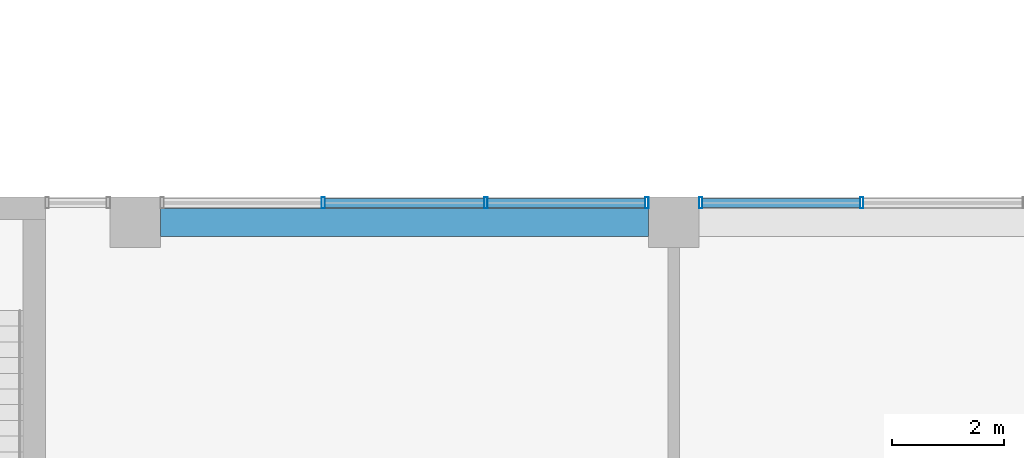
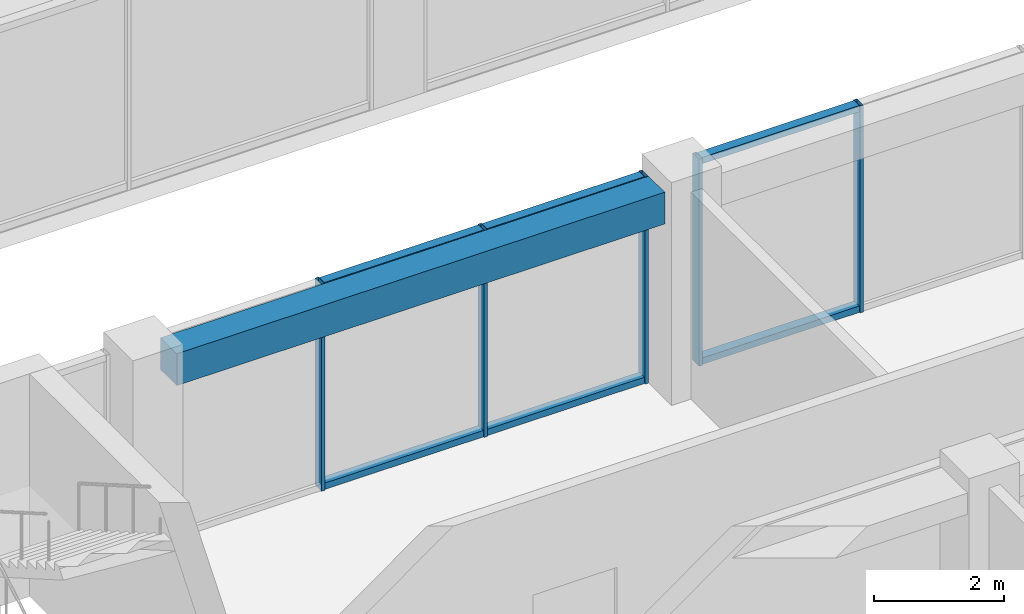
# One storey, part 16 of 37: 11 members, 1 beam, 2 elements without a shape of their own.
"""IFC4 building model written with IfcOpenShell, lengths in metres."""

from ifc_helpers import new_model, si_unit, direction, frame, origin, origin_2d, place, context, subcontext, project, spatial, rectangle, hollow_rectangle, extrude, material, layer, layer_set, material_profile, profile_set, type_object, element, aggregate, save


model = new_model("IFC4")

# Units and contexts
model_context = context("Model", 3, precision=1e-05, world=origin(), true_north=direction((0.0, 1.0)))
body_context = subcontext(model_context, "Body", "Model", "MODEL_VIEW")
ifc_project = project(units=[si_unit("LENGTHUNIT", "METRE"), si_unit("AREAUNIT", "SQUARE_METRE"), si_unit("VOLUMEUNIT", "CUBIC_METRE"), si_unit("PLANEANGLEUNIT", "RADIAN"), si_unit("MASSUNIT", "GRAM", prefix="KILO")], contexts=[model_context])

# Site, building, storey
site_placement = place(None, origin())
site = spatial("IfcSite", under=ifc_project, at=site_placement, CompositionType="ELEMENT")
building_placement = place(site_placement, origin())
building = spatial("IfcBuilding", under=site, at=building_placement, Name="Nzadi Deep Aquarium and Research Tower", CompositionType="ELEMENT")
storey_placement = place(building_placement, frame((0.0, 0.0, 61.300048828125)))
storey = spatial("IfcBuildingStorey", under=building, at=storey_placement, Name="L12", CompositionType="ELEMENT", Elevation=61.300048828125)

# Curtain wall, members
ifc_material_1 = material(Name="Aluminium unitised frame", Category="aluminium")
ifc_layer = layer(ifc_material_1, 0.199951171875)
ifc_layer_set = layer_set([ifc_layer], Name="Aluminium unitised frame")
curtain_wall_type = type_object("IfcCurtainWallType", Name="Curtain wall Unitised 200", PredefinedType="NOTDEFINED", material=ifc_layer_set)
curtain_wall_1_placement = place(storey_placement, origin())
curtain_wall_1 = element("IfcCurtainWall", 1, at=curtain_wall_1_placement, inside=storey, type_object=curtain_wall_type, Name="Unitised curtain wall blade A north L12", PredefinedType="NOTDEFINED")
ifc_material_2 = material(Name="Aluminium unitised frame", Category="aluminium")
ifc_material_profile_1 = material_profile(ifc_material_2, hollow_rectangle(XDim=0.199951171875, YDim=0.06005859375, WallThickness=0.0048828125, at=origin_2d()))
ifc_profile_set_1 = profile_set([ifc_material_profile_1], Name="Aluminium unitised frame")
member_type_1 = type_object("IfcMemberType", Name="Mullion 60x200 Unitised", PredefinedType="MULLION", material=ifc_profile_set_1)
member_1_placement = place(storey_placement, frame((32.14990234375, 18.75, 0.0), z_axis=(0.0, 0.0, 1.0), x_axis=(0.0, 1.0, 0.0)))
member_1 = element("IfcMember", 2, at=member_1_placement, type_object=member_type_1, Name="CW055 mullion 2", PredefinedType="MULLION", context=body_context, shape_type="SweptSolid", body=[
    extrude(hollow_rectangle(XDim=0.199951171875, YDim=0.06005859375, WallThickness=0.0048828125, at=origin_2d()), origin(), (0.0, 0.0, 1.0), 3.89990234375),
])
member_2_placement = place(storey_placement, frame((35.050048828125, 18.75, 0.0), z_axis=(0.0, 0.0, 1.0), x_axis=(0.0, 1.0, 0.0)))
member_2 = element("IfcMember", 3, at=member_2_placement, type_object=member_type_1, Name="CW055 mullion 3", PredefinedType="MULLION", context=body_context, shape_type="SweptSolid", body=[
    extrude(hollow_rectangle(XDim=0.199951171875, YDim=0.06005859375, WallThickness=0.0048828125, at=origin_2d()), origin(), (0.0, 0.0, 1.0), 3.89990234375),
])
member_3_placement = place(storey_placement, frame((37.919921875, 18.75, 0.0), z_axis=(0.0, 0.0, 1.0), x_axis=(0.0, 1.0, 0.0)))
member_3 = element("IfcMember", 4, at=member_3_placement, type_object=member_type_1, Name="CW055 mullion 4", PredefinedType="MULLION", context=body_context, shape_type="SweptSolid", body=[
    extrude(hollow_rectangle(XDim=0.199951171875, YDim=0.06005859375, WallThickness=0.0048828125, at=origin_2d()), origin(), (0.0, 0.0, 1.0), 3.89990234375),
])

curtain_wall_2_placement = place(storey_placement, origin())
curtain_wall_2 = element("IfcCurtainWall", 5, at=curtain_wall_2_placement, inside=storey, type_object=curtain_wall_type, Name="Unitised curtain wall blade A north L12", PredefinedType="NOTDEFINED")
member_4_placement = place(storey_placement, frame((38.8798828125, 18.75, 0.0), z_axis=(0.0, 0.0, 1.0), x_axis=(0.0, 1.0, 0.0)))
member_4 = element("IfcMember", 6, at=member_4_placement, type_object=member_type_1, Name="CW056 mullion 1", PredefinedType="MULLION", context=body_context, shape_type="SweptSolid", body=[
    extrude(hollow_rectangle(XDim=0.199951171875, YDim=0.06005859375, WallThickness=0.0048828125, at=origin_2d()), origin(), (0.0, 0.0, 1.0), 3.89990234375),
])
member_5_placement = place(storey_placement, frame((41.75, 18.75, 0.0), z_axis=(0.0, 0.0, 1.0), x_axis=(0.0, 1.0, 0.0)))
member_5 = element("IfcMember", 7, at=member_5_placement, type_object=member_type_1, Name="CW056 mullion 2", PredefinedType="MULLION", context=body_context, shape_type="SweptSolid", body=[
    extrude(hollow_rectangle(XDim=0.199951171875, YDim=0.06005859375, WallThickness=0.0048828125, at=origin_2d()), origin(), (0.0, 0.0, 1.0), 3.89990234375),
])

# Beam
ifc_material_3 = material(Name="Concrete C35/45", Category="concrete")
ifc_material_profile_2 = material_profile(ifc_material_3, rectangle(XDim=0.5, YDim=0.60009765625, at=origin_2d()))
ifc_profile_set_2 = profile_set([ifc_material_profile_2], Name="Concrete C35/45")
beam_type = type_object("IfcBeamType", Name="RC 500x600", PredefinedType="BEAM", material=ifc_profile_set_2)
beam_placement = place(storey_placement, frame((29.25, 18.39990234375, 3.599853515625), z_axis=(1.0, 0.0, 0.0), x_axis=(0.0, 1.0, 0.0)))
element("IfcBeam", 8, at=beam_placement, inside=storey, type_object=beam_type, Name="B-Z1-L12-L3-4", PredefinedType="BEAM", context=body_context, shape_type="SweptSolid", body=[
    extrude(rectangle(XDim=0.5, YDim=0.60009765625, at=origin_2d()), origin(), (0.0, 0.0, 1.0), 8.699951171875),
])

# Member
ifc_material_4 = material(Name="Aluminium unitised frame", Category="aluminium")
ifc_material_profile_3 = material_profile(ifc_material_4, hollow_rectangle(XDim=0.159912109375, YDim=0.1201171875, WallThickness=0.0048828125, at=origin_2d()))
ifc_profile_set_3 = profile_set([ifc_material_profile_3], Name="Aluminium unitised frame")
member_type_2 = type_object("IfcMemberType", Name="Transom 120x160 Unitised", PredefinedType="MULLION", material=ifc_profile_set_3)
member_6_placement = place(storey_placement, frame((32.179931640625, 18.75, 0.06005859375), z_axis=(1.0, 0.0, 0.0), x_axis=(0.0, 1.0, 0.0)))
member_6 = element("IfcMember", 9, at=member_6_placement, type_object=member_type_2, Name="CW055 transom 2.1", PredefinedType="MULLION", context=body_context, shape_type="SweptSolid", body=[
    extrude(hollow_rectangle(XDim=0.159912109375, YDim=0.1201171875, WallThickness=0.0048828125, at=origin_2d()), origin(), (0.0, 0.0, 1.0), 2.840087890625),
])

member_7_placement = place(storey_placement, frame((32.179931640625, 18.75, 3.83984375), z_axis=(1.0, 0.0, 0.0), x_axis=(0.0, 1.0, 0.0)))
member_7 = element("IfcMember", 10, at=member_7_placement, type_object=member_type_2, Name="CW055 transom 2.2", PredefinedType="MULLION", context=body_context, shape_type="SweptSolid", body=[
    extrude(hollow_rectangle(XDim=0.159912109375, YDim=0.1201171875, WallThickness=0.0048828125, at=origin_2d()), origin(), (0.0, 0.0, 1.0), 2.840087890625),
])

member_8_placement = place(storey_placement, frame((35.080078125, 18.75, 0.06005859375), z_axis=(1.0, 0.0, 0.0), x_axis=(0.0, 1.0, 0.0)))
member_8 = element("IfcMember", 11, at=member_8_placement, type_object=member_type_2, Name="CW055 transom 3.1", PredefinedType="MULLION", context=body_context, shape_type="SweptSolid", body=[
    extrude(hollow_rectangle(XDim=0.159912109375, YDim=0.1201171875, WallThickness=0.0048828125, at=origin_2d()), origin(), (0.0, 0.0, 1.0), 2.809814453125),
])

member_9_placement = place(storey_placement, frame((35.080078125, 18.75, 3.83984375), z_axis=(1.0, 0.0, 0.0), x_axis=(0.0, 1.0, 0.0)))
member_9 = element("IfcMember", 12, at=member_9_placement, type_object=member_type_2, Name="CW055 transom 3.2", PredefinedType="MULLION", context=body_context, shape_type="SweptSolid", body=[
    extrude(hollow_rectangle(XDim=0.159912109375, YDim=0.1201171875, WallThickness=0.0048828125, at=origin_2d()), origin(), (0.0, 0.0, 1.0), 2.809814453125),
])

aggregate(curtain_wall_1, [member_1, member_2, member_3, member_6, member_7, member_8, member_9])

member_10_placement = place(storey_placement, frame((38.909912109375, 18.75, 0.06005859375), z_axis=(1.0, 0.0, 0.0), x_axis=(0.0, 1.0, 0.0)))
member_10 = element("IfcMember", 13, at=member_10_placement, type_object=member_type_2, Name="CW056 transom 1.1", PredefinedType="MULLION", context=body_context, shape_type="SweptSolid", body=[
    extrude(hollow_rectangle(XDim=0.159912109375, YDim=0.1201171875, WallThickness=0.0048828125, at=origin_2d()), origin(), (0.0, 0.0, 1.0), 2.81005859375),
])

member_11_placement = place(storey_placement, frame((38.909912109375, 18.75, 3.83984375), z_axis=(1.0, 0.0, 0.0), x_axis=(0.0, 1.0, 0.0)))
member_11 = element("IfcMember", 14, at=member_11_placement, type_object=member_type_2, Name="CW056 transom 1.2", PredefinedType="MULLION", context=body_context, shape_type="SweptSolid", body=[
    extrude(hollow_rectangle(XDim=0.159912109375, YDim=0.1201171875, WallThickness=0.0048828125, at=origin_2d()), origin(), (0.0, 0.0, 1.0), 2.81005859375),
])

aggregate(curtain_wall_2, [member_4, member_5, member_10, member_11])

save(model, "model.ifc")
